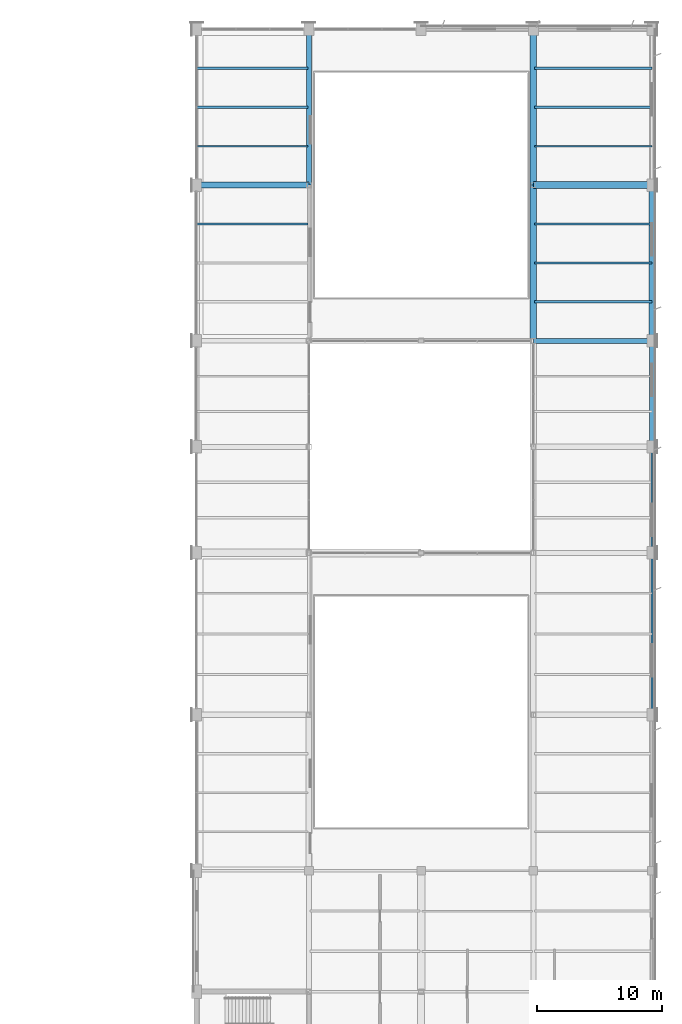
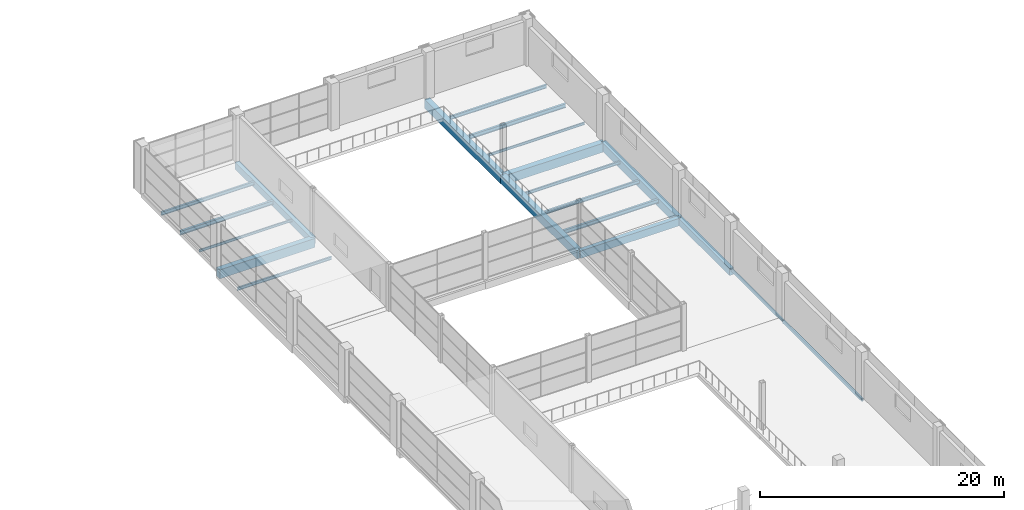
# One storey, part 80 of 112: 20 beams.
"""IFC4 building model written with IfcOpenShell, lengths in metres."""

from ifc_helpers import new_model, si_unit, direction, frame, origin, origin_2d, place, context, subcontext, project, spatial, rectangle, hollow_rectangle, i_section, extrude, material, material_profile, profile_set, type_object, element, save


model = new_model("IFC4")

# Units and contexts
model_context = context("Model", 3, precision=1e-05, world=origin(), true_north=direction((0.0, 1.0)))
body_context = subcontext(model_context, "Body", "Model", "MODEL_VIEW")
ifc_project = project(units=[si_unit("LENGTHUNIT", "METRE"), si_unit("AREAUNIT", "SQUARE_METRE"), si_unit("VOLUMEUNIT", "CUBIC_METRE"), si_unit("PLANEANGLEUNIT", "RADIAN"), si_unit("MASSUNIT", "GRAM", prefix="KILO")], contexts=[model_context])

# Site, building, storey
site_placement = place(None, origin())
site = spatial("IfcSite", under=ifc_project, at=site_placement, CompositionType="ELEMENT")
building_placement = place(site_placement, origin())
building = spatial("IfcBuilding", under=site, at=building_placement, Name="Solvikara Media Centre", CompositionType="ELEMENT")
storey_placement = place(building_placement, frame((0.0, 0.0, 5.39990234375)))
storey = spatial("IfcBuildingStorey", under=building, at=storey_placement, Name="L01", CompositionType="ELEMENT", Elevation=5.39990234375)

# Beams
ifc_material_1 = material(Name="Concrete fc' 35 MPa (C35/45)", Category="concrete")
ifc_material_profile_1 = material_profile(ifc_material_1, rectangle(XDim=0.39990234375, YDim=0.75, at=origin_2d()), Name="RC 400x750")
ifc_profile_set_1 = profile_set([ifc_material_profile_1], Name="Concrete fc' 35 MPa (C35/45)")
beam_type_1 = type_object("IfcBeamType", Name="BM-04", PredefinedType="BEAM", material=ifc_profile_set_1)
beam_1_placement = place(storey_placement, frame((154.5, 89.0, -0.6748046875), z_axis=(1.0, 0.0, 0.0), x_axis=(0.0, 1.0, 0.0)))
element("IfcBeam", 1, at=beam_1_placement, inside=storey, type_object=beam_type_1, Name="B-L01-X0520", PredefinedType="BEAM", context=body_context, shape_type="SweptSolid", body=[
    extrude(rectangle(XDim=0.39990234375, YDim=0.75, at=origin_2d()), origin(), (0.0, 0.0, 1.0), 9.5),
])
ifc_material_profile_2 = material_profile(ifc_material_1, rectangle(XDim=0.5, YDim=0.85009765625, at=origin_2d()), Name="RC 500x850")
ifc_profile_set_2 = profile_set([ifc_material_profile_2], Name="Concrete fc' 35 MPa (C35/45)")
beam_type_2 = type_object("IfcBeamType", Name="BM-08", PredefinedType="BEAM", material=ifc_profile_set_2)
beam_2_placement = place(storey_placement, frame((154.5, 89.0, -0.724853515625), z_axis=(0.0, 1.0, 0.0), x_axis=(-1.0, 0.0, 0.0)))
element("IfcBeam", 2, at=beam_2_placement, inside=storey, type_object=beam_type_2, Name="B-L01-Y0632", PredefinedType="BEAM", context=body_context, shape_type="SweptSolid", body=[
    extrude(rectangle(XDim=0.5, YDim=0.85009765625, at=origin_2d()), origin(), (0.0, 0.0, 1.0), 12.5),
])
ifc_material_2 = material(Name="Concrete fc' 45 MPa (C45/55)", Category="concrete")
ifc_material_profile_3 = material_profile(ifc_material_2, rectangle(XDim=0.5, YDim=0.89990234375, at=origin_2d()), Name="RC 500x900")
ifc_profile_set_3 = profile_set([ifc_material_profile_3], Name="Concrete fc' 45 MPa (C45/55)")
beam_type_3 = type_object("IfcBeamType", Name="BM-09", PredefinedType="BEAM", material=ifc_profile_set_3)
beam_3_placement = place(storey_placement, frame((127.5, 101.5, -0.75), z_axis=(1.0, 0.0, 0.0), x_axis=(0.0, 1.0, 0.0)))
element("IfcBeam", 3, at=beam_3_placement, inside=storey, type_object=beam_type_3, Name="B-L01-X0525", PredefinedType="BEAM", context=body_context, shape_type="SweptSolid", body=[
    extrude(rectangle(XDim=0.5, YDim=0.89990234375, at=origin_2d()), origin(), (0.0, 0.0, 1.0), 9.0),
])
beam_4_placement = place(storey_placement, frame((154.5, 101.5, -0.75), z_axis=(0.0, 1.0, 0.0), x_axis=(-1.0, 0.0, 0.0)))
element("IfcBeam", 4, at=beam_4_placement, inside=storey, type_object=beam_type_3, Name="B-L01-Y0633", PredefinedType="BEAM", context=body_context, shape_type="SweptSolid", body=[
    extrude(rectangle(XDim=0.5, YDim=0.89990234375, at=origin_2d()), origin(), (0.0, 0.0, 1.0), 12.5),
])
ifc_material_profile_4 = material_profile(ifc_material_2, rectangle(XDim=0.550048828125, YDim=0.89990234375, at=origin_2d()), Name="RC 550x900")
ifc_profile_set_4 = profile_set([ifc_material_profile_4], Name="Concrete fc' 45 MPa (C45/55)")
beam_type_4 = type_object("IfcBeamType", Name="BM-10", PredefinedType="BEAM", material=ifc_profile_set_4)
beam_5_placement = place(storey_placement, frame((154.5, 101.5, -0.75), z_axis=(1.0, 0.0, 0.0), x_axis=(0.0, 1.0, 0.0)))
element("IfcBeam", 5, at=beam_5_placement, inside=storey, type_object=beam_type_4, Name="B-L01-X0526", PredefinedType="BEAM", context=body_context, shape_type="SweptSolid", body=[
    extrude(rectangle(XDim=0.550048828125, YDim=0.89990234375, at=origin_2d()), origin(), (0.0, 0.0, 1.0), 9.5),
])
ifc_material_profile_5 = material_profile(ifc_material_1, rectangle(XDim=0.39990234375, YDim=0.699951171875, at=origin_2d()), Name="RC 400x700")
ifc_profile_set_5 = profile_set([ifc_material_profile_5], Name="Concrete fc' 35 MPa (C35/45)")
beam_type_5 = type_object("IfcBeamType", Name="BM-13", PredefinedType="SPANDREL", material=ifc_profile_set_5)
beam_6_placement = place(storey_placement, frame((136.5, 101.5, -0.64990234375), z_axis=(0.0, 1.0, 0.0), x_axis=(-1.0, 0.0, 0.0)))
element("IfcBeam", 6, at=beam_6_placement, inside=storey, type_object=beam_type_5, Name="B-L01-Y0619", PredefinedType="SPANDREL", context=body_context, shape_type="SweptSolid", body=[
    extrude(rectangle(XDim=0.39990234375, YDim=0.699951171875, at=origin_2d()), origin(), (0.0, 0.0, 1.0), 12.5),
])
beam_7_placement = place(storey_placement, frame((164.0, 80.5, -0.64990234375), z_axis=(0.0, 1.0, 0.0), x_axis=(-1.0, 0.0, 0.0)))
element("IfcBeam", 7, at=beam_7_placement, inside=storey, type_object=beam_type_5, Name="B-L01-Y0641", PredefinedType="SPANDREL", context=body_context, shape_type="SweptSolid", body=[
    extrude(rectangle(XDim=0.39990234375, YDim=0.699951171875, at=origin_2d()), origin(), (0.0, 0.0, 1.0), 8.5),
])
ifc_material_profile_6 = material_profile(ifc_material_1, rectangle(XDim=0.449951171875, YDim=0.85009765625, at=origin_2d()), Name="RC 450x850")
ifc_profile_set_6 = profile_set([ifc_material_profile_6], Name="Concrete fc' 35 MPa (C35/45)")
beam_type_6 = type_object("IfcBeamType", Name="BM-14", PredefinedType="SPANDREL", material=ifc_profile_set_6)
beam_8_placement = place(storey_placement, frame((164.0, 89.0, -0.724853515625), z_axis=(0.0, 1.0, 0.0), x_axis=(-1.0, 0.0, 0.0)))
element("IfcBeam", 8, at=beam_8_placement, inside=storey, type_object=beam_type_6, Name="B-L01-Y0642", PredefinedType="SPANDREL", context=body_context, shape_type="SweptSolid", body=[
    extrude(rectangle(XDim=0.449951171875, YDim=0.85009765625, at=origin_2d()), origin(), (0.0, 0.0, 1.0), 12.5),
])
ifc_material_3 = material(Name="Steel S355JR", Category="steel")
ifc_material_profile_7 = material_profile(ifc_material_3, i_section(OverallWidth=0.199951171875, OverallDepth=0.39990234375, WebThickness=0.008056640625, FlangeThickness=0.012939453125, at=origin_2d()), Name="WF 400x200x8x13")
ifc_profile_set_7 = profile_set([ifc_material_profile_7], Name="Steel S355JR")
beam_type_7 = type_object("IfcBeamType", Name="BM-21", PredefinedType="JOIST", material=ifc_profile_set_7)
beam_9_placement = place(storey_placement, frame((127.5, 107.75, -0.501953125), z_axis=(1.0, 0.0, 0.0), x_axis=(0.0, 1.0, 0.0)))
element("IfcBeam", 9, at=beam_9_placement, inside=storey, type_object=beam_type_7, Name="J-L01-0777", PredefinedType="JOIST", context=body_context, shape_type="SweptSolid", body=[
    extrude(i_section(OverallWidth=0.199951171875, OverallDepth=0.39990234375, WebThickness=0.008056640625, FlangeThickness=0.012939453125, at=origin_2d()), origin(), (0.0, 0.0, 1.0), 8.922119140625),
])
beam_10_placement = place(storey_placement, frame((154.577880859375, 107.75, -0.501953125), z_axis=(1.0, 0.0, 0.0), x_axis=(0.0, 1.0, 0.0)))
element("IfcBeam", 10, at=beam_10_placement, inside=storey, type_object=beam_type_7, Name="J-L01-0817", PredefinedType="JOIST", context=body_context, shape_type="SweptSolid", body=[
    extrude(i_section(OverallWidth=0.199951171875, OverallDepth=0.39990234375, WebThickness=0.008056640625, FlangeThickness=0.012939453125, at=origin_2d()), origin(), (0.0, 0.0, 1.0), 9.422119140625),
])
ifc_material_profile_8 = material_profile(ifc_material_3, i_section(OverallWidth=0.175048828125, OverallDepth=0.35009765625, WebThickness=0.007080078125, FlangeThickness=0.010986328125, at=origin_2d()), Name="WF 350x175x7x11")
ifc_profile_set_8 = profile_set([ifc_material_profile_8], Name="Steel S355JR")
beam_type_8 = type_object("IfcBeamType", Name="BM-22", PredefinedType="JOIST", material=ifc_profile_set_8)
beam_11_placement = place(storey_placement, frame((127.5, 110.875, -0.476806640625), z_axis=(1.0, 0.0, 0.0), x_axis=(0.0, 1.0, 0.0)))
element("IfcBeam", 11, at=beam_11_placement, inside=storey, type_object=beam_type_8, Name="J-L01-0778", PredefinedType="JOIST", context=body_context, shape_type="SweptSolid", body=[
    extrude(i_section(OverallWidth=0.175048828125, OverallDepth=0.35009765625, WebThickness=0.007080078125, FlangeThickness=0.010986328125, at=origin_2d()), origin(), (0.0, 0.0, 1.0), 8.922119140625),
])
beam_12_placement = place(storey_placement, frame((154.577880859375, 110.875, -0.476806640625), z_axis=(1.0, 0.0, 0.0), x_axis=(0.0, 1.0, 0.0)))
element("IfcBeam", 12, at=beam_12_placement, inside=storey, type_object=beam_type_8, Name="J-L01-0818", PredefinedType="JOIST", context=body_context, shape_type="SweptSolid", body=[
    extrude(i_section(OverallWidth=0.175048828125, OverallDepth=0.35009765625, WebThickness=0.007080078125, FlangeThickness=0.010986328125, at=origin_2d()), origin(), (0.0, 0.0, 1.0), 9.422119140625),
])
ifc_material_profile_9 = material_profile(ifc_material_3, i_section(OverallWidth=0.198974609375, OverallDepth=0.39599609375, WebThickness=0.007080078125, FlangeThickness=0.010986328125, at=origin_2d()), Name="WF 396x199x7x11")
ifc_profile_set_9 = profile_set([ifc_material_profile_9], Name="Steel S355JR")
beam_type_9 = type_object("IfcBeamType", Name="BM-37", PredefinedType="JOIST", material=ifc_profile_set_9)
beam_13_placement = place(storey_placement, frame((154.577880859375, 92.125, -0.5), z_axis=(1.0, 0.0, 0.0), x_axis=(0.0, 1.0, 0.0)))
element("IfcBeam", 13, at=beam_13_placement, inside=storey, type_object=beam_type_9, Name="J-L01-0813", PredefinedType="JOIST", context=body_context, shape_type="SweptSolid", body=[
    extrude(i_section(OverallWidth=0.198974609375, OverallDepth=0.39599609375, WebThickness=0.007080078125, FlangeThickness=0.010986328125, at=origin_2d()), origin(), (0.0, 0.0, 1.0), 9.422119140625),
])
ifc_material_profile_10 = material_profile(ifc_material_3, i_section(OverallWidth=0.174072265625, OverallDepth=0.345947265625, WebThickness=0.006103515625, FlangeThickness=0.009033203125, at=origin_2d()), Name="WF 346x174x6x9")
ifc_profile_set_10 = profile_set([ifc_material_profile_10], Name="Steel S355JR")
beam_type_10 = type_object("IfcBeamType", Name="BM-38", PredefinedType="JOIST", material=ifc_profile_set_10)
beam_14_placement = place(storey_placement, frame((154.577880859375, 95.25, -0.474853515625), z_axis=(1.0, 0.0, 0.0), x_axis=(0.0, 1.0, 0.0)))
element("IfcBeam", 14, at=beam_14_placement, inside=storey, type_object=beam_type_10, Name="J-L01-0814", PredefinedType="JOIST", context=body_context, shape_type="SweptSolid", body=[
    extrude(i_section(OverallWidth=0.174072265625, OverallDepth=0.345947265625, WebThickness=0.006103515625, FlangeThickness=0.009033203125, at=origin_2d()), origin(), (0.0, 0.0, 1.0), 9.422119140625),
])
ifc_material_profile_11 = material_profile(ifc_material_3, i_section(OverallWidth=0.14892578125, OverallDepth=0.298095703125, WebThickness=0.005615234375, FlangeThickness=0.008056640625, at=origin_2d()), Name="WF 298x149x5.5x8")
ifc_profile_set_11 = profile_set([ifc_material_profile_11], Name="Steel S355JR")
beam_type_11 = type_object("IfcBeamType", Name="BM-39", PredefinedType="JOIST", material=ifc_profile_set_11)
beam_15_placement = place(storey_placement, frame((127.5, 98.375, -0.450927734375), z_axis=(1.0, 0.0, 0.0), x_axis=(0.0, 1.0, 0.0)))
element("IfcBeam", 15, at=beam_15_placement, inside=storey, type_object=beam_type_11, Name="J-L01-0775", PredefinedType="JOIST", context=body_context, shape_type="SweptSolid", body=[
    extrude(i_section(OverallWidth=0.14892578125, OverallDepth=0.298095703125, WebThickness=0.005615234375, FlangeThickness=0.008056640625, at=origin_2d()), origin(), (0.0, 0.0, 1.0), 8.922119140625),
])
beam_16_placement = place(storey_placement, frame((154.577880859375, 98.375, -0.450927734375), z_axis=(1.0, 0.0, 0.0), x_axis=(0.0, 1.0, 0.0)))
element("IfcBeam", 16, at=beam_16_placement, inside=storey, type_object=beam_type_11, Name="J-L01-0815", PredefinedType="JOIST", context=body_context, shape_type="SweptSolid", body=[
    extrude(i_section(OverallWidth=0.14892578125, OverallDepth=0.298095703125, WebThickness=0.005615234375, FlangeThickness=0.008056640625, at=origin_2d()), origin(), (0.0, 0.0, 1.0), 9.422119140625),
])
ifc_material_profile_12 = material_profile(ifc_material_3, i_section(OverallWidth=0.1240234375, OverallDepth=0.248046875, WebThickness=0.0048828125, FlangeThickness=0.008056640625, at=origin_2d()), Name="WF 248x124x5x8")
ifc_profile_set_12 = profile_set([ifc_material_profile_12], Name="Steel S355JR")
beam_type_12 = type_object("IfcBeamType", Name="BM-40", PredefinedType="JOIST", material=ifc_profile_set_12)
beam_17_placement = place(storey_placement, frame((127.5, 104.625, -0.42578125), z_axis=(1.0, 0.0, 0.0), x_axis=(0.0, 1.0, 0.0)))
element("IfcBeam", 17, at=beam_17_placement, inside=storey, type_object=beam_type_12, Name="J-L01-0776", PredefinedType="JOIST", context=body_context, shape_type="SweptSolid", body=[
    extrude(i_section(OverallWidth=0.1240234375, OverallDepth=0.248046875, WebThickness=0.0048828125, FlangeThickness=0.008056640625, at=origin_2d()), origin(), (0.0, 0.0, 1.0), 8.922119140625),
])
beam_18_placement = place(storey_placement, frame((154.577880859375, 104.625, -0.42578125), z_axis=(1.0, 0.0, 0.0), x_axis=(0.0, 1.0, 0.0)))
element("IfcBeam", 18, at=beam_18_placement, inside=storey, type_object=beam_type_12, Name="J-L01-0816", PredefinedType="JOIST", context=body_context, shape_type="SweptSolid", body=[
    extrude(i_section(OverallWidth=0.1240234375, OverallDepth=0.248046875, WebThickness=0.0048828125, FlangeThickness=0.008056640625, at=origin_2d()), origin(), (0.0, 0.0, 1.0), 9.422119140625),
])
ifc_material_profile_13 = material_profile(ifc_material_3, hollow_rectangle(XDim=0.159912109375, YDim=0.320068359375, WallThickness=0.010009765625, at=origin_2d()), Name="RHS 320x160x10")
ifc_profile_set_13 = profile_set([ifc_material_profile_13], Name="Steel S355JR")
beam_type_13 = type_object("IfcBeamType", Name="BM-45", PredefinedType="SPANDREL", material=ifc_profile_set_13)
beam_19_placement = place(storey_placement, frame((164.0, 59.0, -0.4619140625), z_axis=(0.0, 1.0, 0.0), x_axis=(-1.0, 0.0, 0.0)))
element("IfcBeam", 19, at=beam_19_placement, inside=storey, type_object=beam_type_13, Name="B-L01-Y0639", PredefinedType="SPANDREL", context=body_context, shape_type="SweptSolid", body=[
    extrude(hollow_rectangle(XDim=0.159912109375, YDim=0.320068359375, WallThickness=0.010009765625, at=origin_2d()), origin(), (0.0, 0.0, 1.0), 13.0),
])
ifc_material_profile_14 = material_profile(ifc_material_3, hollow_rectangle(XDim=0.139892578125, YDim=0.280029296875, WallThickness=0.008056640625, at=origin_2d()), Name="RHS 280x140x8")
ifc_profile_set_14 = profile_set([ifc_material_profile_14], Name="Steel S355JR")
beam_type_14 = type_object("IfcBeamType", Name="BM-46", PredefinedType="SPANDREL", material=ifc_profile_set_14)
beam_20_placement = place(storey_placement, frame((164.0, 72.0, -0.44189453125), z_axis=(0.0, 1.0, 0.0), x_axis=(-1.0, 0.0, 0.0)))
element("IfcBeam", 20, at=beam_20_placement, inside=storey, type_object=beam_type_14, Name="B-L01-Y0640", PredefinedType="SPANDREL", context=body_context, shape_type="SweptSolid", body=[
    extrude(hollow_rectangle(XDim=0.139892578125, YDim=0.280029296875, WallThickness=0.008056640625, at=origin_2d()), origin(), (0.0, 0.0, 1.0), 8.5),
])

save(model, "model.ifc")
